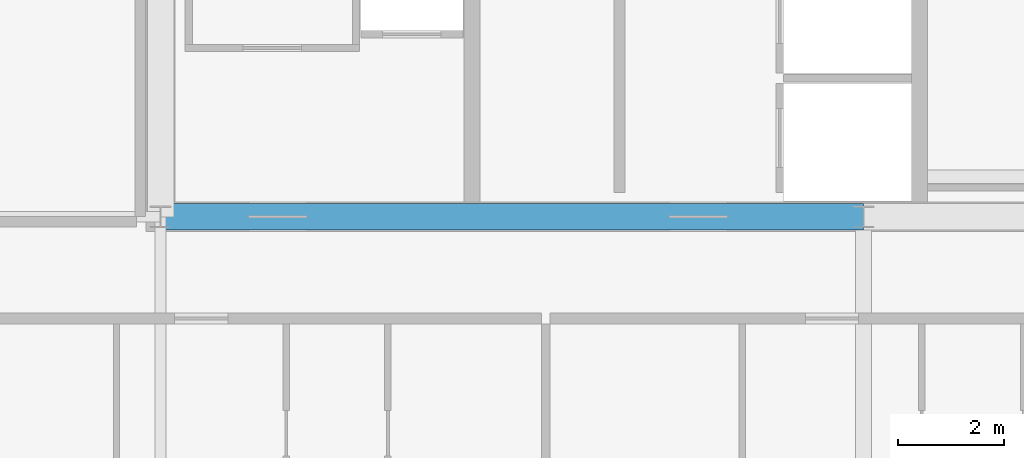
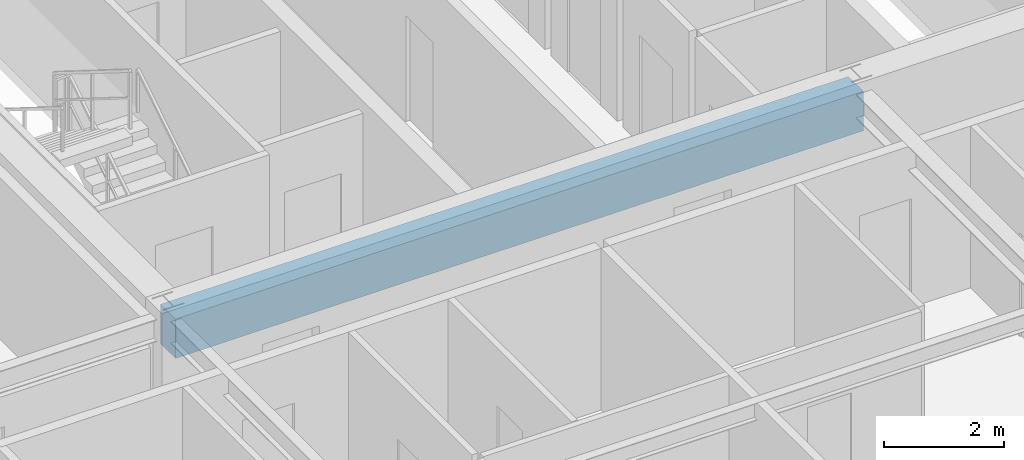
# One storey, part 8 of 37: 1 beam.
"""IFC4 building model written with IfcOpenShell, lengths in metres."""

from ifc_helpers import new_model, si_unit, direction, frame, origin, origin_2d, place, context, subcontext, project, spatial, rectangle, extrude, source, transform, mapped, material, material_profile, profile_set, type_object, element, save


model = new_model("IFC4")

# Units and contexts
model_context = context("Model", 3, precision=1e-05, world=origin(), true_north=direction((0.0, 1.0)))
body_context = subcontext(model_context, "Body", "Model", "MODEL_VIEW")
ifc_project = project(units=[si_unit("LENGTHUNIT", "METRE"), si_unit("AREAUNIT", "SQUARE_METRE"), si_unit("VOLUMEUNIT", "CUBIC_METRE"), si_unit("PLANEANGLEUNIT", "RADIAN"), si_unit("MASSUNIT", "GRAM", prefix="KILO"), si_unit("THERMODYNAMICTEMPERATUREUNIT", "KELVIN"), si_unit("POWERUNIT", "WATT")], contexts=[model_context])

# Site, building, storey
site_placement = place(None, origin())
site = spatial("IfcSite", under=ifc_project, at=site_placement, CompositionType="ELEMENT")
building_placement = place(site_placement, origin())
building = spatial("IfcBuilding", under=site, at=building_placement, Name="Yuzanri Waterfront Tower", CompositionType="ELEMENT")
storey_placement = place(building_placement, frame((0.0, 0.0, 245.10009765625)))
storey = spatial("IfcBuildingStorey", under=building, at=storey_placement, Name="L65", CompositionType="ELEMENT", Elevation=245.10009765625)

# Beam
ifc_material = material(Name="Concrete C50", Category="concrete")
ifc_material_profile = material_profile(ifc_material, rectangle(XDim=0.5, YDim=0.800048828125, at=origin_2d()), Name="RC 500x800")
ifc_profile_set = profile_set([ifc_material_profile], Name="Concrete C50")
beam_type = type_object("IfcBeamType", Name="Core Coupling Lintel Concrete C50 500x800", PredefinedType="LINTEL", material=ifc_profile_set)
shared_shape = source(origin(), body_context, "Body", "SweptSolid", [
    extrude(rectangle(XDim=0.5, YDim=0.800048828125, at=origin_2d()), origin(), (0.0, 0.0, 1.0), 13.199951171875),
])
beam_placement = place(storey_placement, frame((23.800048828125, 19.39990234375, 2.8798828125), z_axis=(1.0, 0.0, 0.0), x_axis=(0.0, 1.0, 0.0)))
element("IfcBeam", 1, at=beam_placement, inside=storey, type_object=beam_type, Name="L65 Core Tie Beam CS1", PredefinedType="LINTEL", context=body_context, shape_type="MappedRepresentation", body=[
    mapped(shared_shape, transform((0.0, 0.0, 0.0), scale=1.0)),
])

save(model, "model.ifc")
